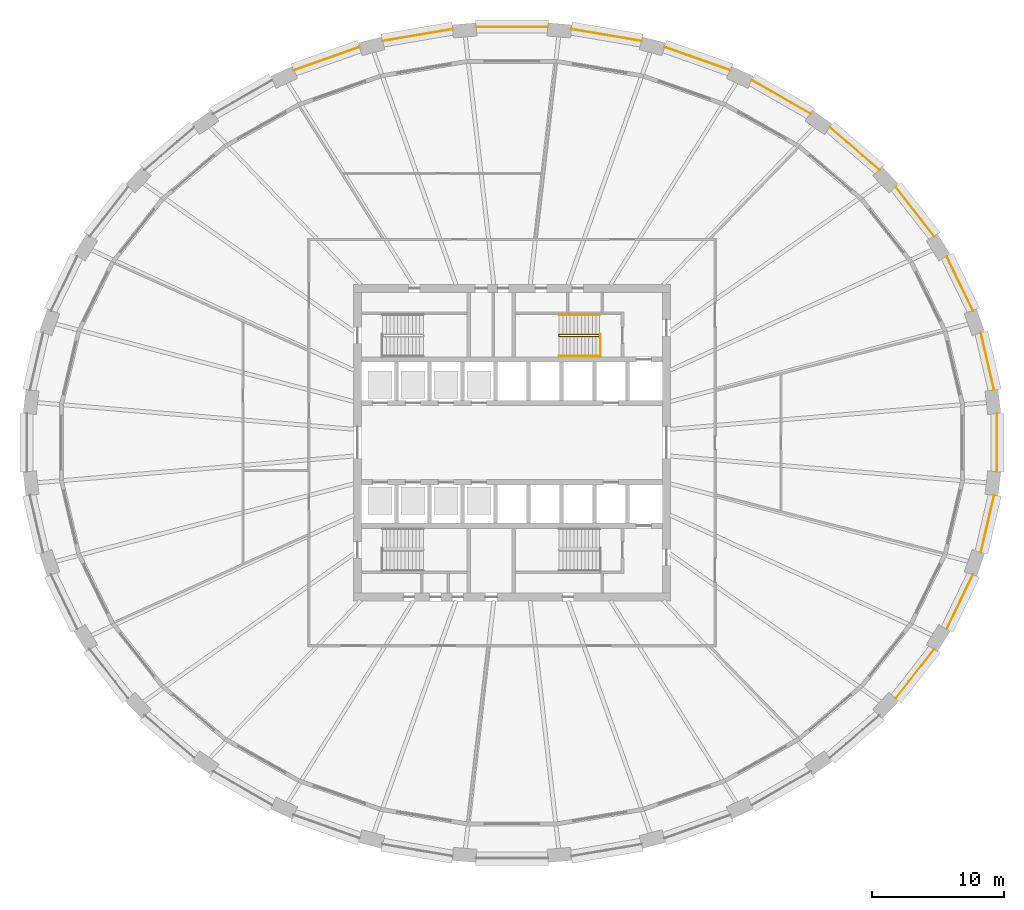
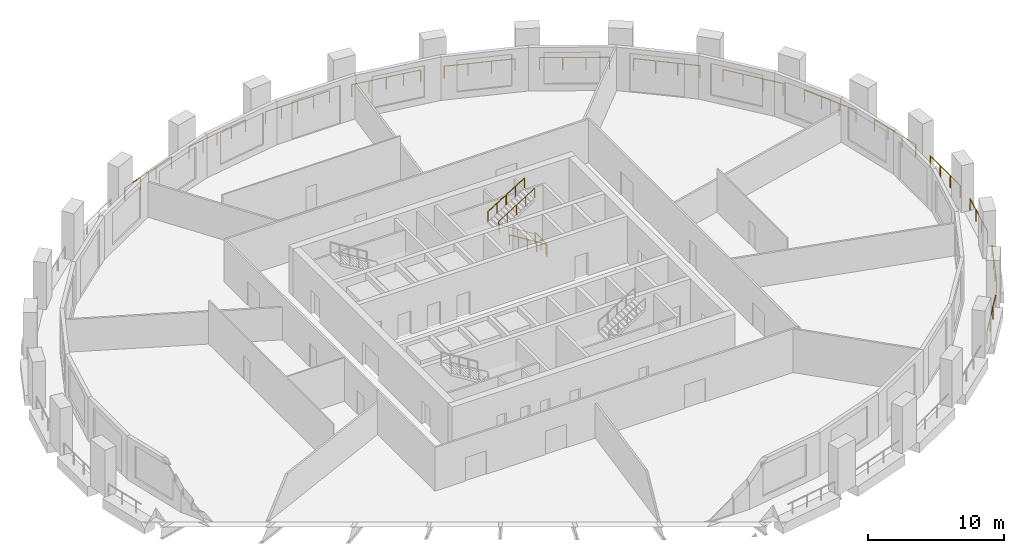
# One storey, part 9 of 10: 18 railings.
"""IFC4 building model written with IfcOpenShell, lengths in metres."""

from ifc_helpers import new_model, si_unit, direction, frame, origin, origin_2d, place, context, subcontext, project, spatial, circle, extrude, material, type_object, element, save


model = new_model("IFC4")

# Units and contexts
model_context = context("Model", 3, precision=1e-05, world=origin(), true_north=direction((0.0, 1.0)))
body_context = subcontext(model_context, "Body", "Model", "MODEL_VIEW")
ifc_project = project(units=[si_unit("LENGTHUNIT", "METRE"), si_unit("AREAUNIT", "SQUARE_METRE"), si_unit("VOLUMEUNIT", "CUBIC_METRE"), si_unit("PLANEANGLEUNIT", "RADIAN"), si_unit("MASSUNIT", "GRAM", prefix="KILO")], contexts=[model_context])

# Site, building, storey
site_placement = place(None, origin())
site = spatial("IfcSite", under=ifc_project, at=site_placement, CompositionType="ELEMENT")
building_placement = place(site_placement, origin())
building = spatial("IfcBuilding", under=site, at=building_placement, Name="Halqa Exchange Tower", CompositionType="ELEMENT")
storey_placement = place(building_placement, frame((0.0, 0.0, 69.699951171875)))
storey = spatial("IfcBuildingStorey", under=building, at=storey_placement, Name="L15", CompositionType="ELEMENT", Elevation=69.699951171875)

# Railings
ifc_material = material(Name="Stainless steel", Category="steel")
railing_type_1 = type_object("IfcRailingType", Name="Guard 1100 stainless steel", PredefinedType="GUARDRAIL", material=ifc_material)
railing_1_placement = place(storey_placement, frame((36.547607421875, 3.979248046875, 0.0)))
element("IfcRailing", 1, at=railing_1_placement, inside=storey, type_object=railing_type_1, Name="Loggia guard 1", PredefinedType="GUARDRAIL", context=body_context, shape_type="SweptSolid", body=[
    extrude(circle(Radius=0.02392578125, at=origin_2d()), frame((0.0, 0.0, 1.076171875), z_axis=(-0.226045997866, 0.974116628977, 0.0), x_axis=(-0.974116628977, -0.226045997866, 0.0)), (0.0, 0.0, 1.0), 4.44775390625),
    extrude(circle(Radius=0.02099609375, at=origin_2d()), origin(), (0.0, 0.0, 1.0), 1.052001953125),
    extrude(circle(Radius=0.02099609375, at=origin_2d()), frame((-0.335205078125, 1.444091796875, 0.0)), (0.0, 0.0, 1.0), 1.052001953125),
    extrude(circle(Radius=0.02099609375, at=origin_2d()), frame((-0.670166015625, 2.888427734375, 0.0)), (0.0, 0.0, 1.0), 1.052001953125),
    extrude(circle(Radius=0.02099609375, at=origin_2d()), frame((-1.00537109375, 4.33251953125, 0.0)), (0.0, 0.0, 1.0), 1.052001953125),
])
railing_2_placement = place(storey_placement, frame((34.947021484375, 9.998779296875, 0.0)))
element("IfcRailing", 2, at=railing_2_placement, inside=storey, type_object=railing_type_1, Name="Loggia guard 2", PredefinedType="GUARDRAIL", context=body_context, shape_type="SweptSolid", body=[
    extrude(circle(Radius=0.02392578125, at=origin_2d()), frame((0.0, 0.0, 1.076171875), z_axis=(-0.435070438407, 0.900396420264, 0.0), x_axis=(-0.900396420264, -0.435070438407, 0.0)), (0.0, 0.0, 1.0), 4.567138671875),
    extrude(circle(Radius=0.02099609375, at=origin_2d()), origin(), (0.0, 0.0, 1.0), 1.052001953125),
    extrude(circle(Radius=0.02099609375, at=origin_2d()), frame((-0.662353515625, 1.370849609375, 0.0)), (0.0, 0.0, 1.0), 1.052001953125),
    extrude(circle(Radius=0.02099609375, at=origin_2d()), frame((-1.32470703125, 2.741455078125, 0.0)), (0.0, 0.0, 1.0), 1.052001953125),
    extrude(circle(Radius=0.02099609375, at=origin_2d()), frame((-1.987060546875, 4.1123046875, 0.0)), (0.0, 0.0, 1.0), 1.052001953125),
])
railing_3_placement = place(storey_placement, frame((32.01513671875, 15.631103515625, 0.0)))
element("IfcRailing", 3, at=railing_3_placement, inside=storey, type_object=railing_type_1, Name="Loggia guard 3", PredefinedType="GUARDRAIL", context=body_context, shape_type="SweptSolid", body=[
    extrude(circle(Radius=0.02392578125, at=origin_2d()), frame((0.0, 0.0, 1.076171875), z_axis=(-0.614806413859, 0.788678054391, 0.0), x_axis=(-0.788678054391, -0.614806413859, 0.0)), (0.0, 0.0, 1.0), 4.74169921875),
    extrude(circle(Radius=0.02099609375, at=origin_2d()), origin(), (0.0, 0.0, 1.0), 1.052001953125),
    extrude(circle(Radius=0.02099609375, at=origin_2d()), frame((-0.9716796875, 1.24658203125, 0.0)), (0.0, 0.0, 1.0), 1.052001953125),
    extrude(circle(Radius=0.02099609375, at=origin_2d()), frame((-1.943603515625, 2.4931640625, 0.0)), (0.0, 0.0, 1.0), 1.052001953125),
    extrude(circle(Radius=0.02099609375, at=origin_2d()), frame((-2.915283203125, 3.73974609375, 0.0)), (0.0, 0.0, 1.0), 1.052001953125),
])
railing_4_placement = place(storey_placement, frame((27.863037109375, 20.66650390625, 0.0)))
element("IfcRailing", 4, at=railing_4_placement, inside=storey, type_object=railing_type_1, Name="Loggia guard 4", PredefinedType="GUARDRAIL", context=body_context, shape_type="SweptSolid", body=[
    extrude(circle(Radius=0.02392578125, at=origin_2d()), frame((0.0, 0.0, 1.076171875), z_axis=(-0.759267063974, 0.650779168048, 0.0), x_axis=(-0.650779168048, -0.759267063974, 0.0)), (0.0, 0.0, 1.0), 4.94189453125),
    extrude(circle(Radius=0.02099609375, at=origin_2d()), origin(), (0.0, 0.0, 1.0), 1.052001953125),
    extrude(circle(Radius=0.02099609375, at=origin_2d()), frame((-1.250732421875, 1.072021484375, 0.0)), (0.0, 0.0, 1.0), 1.052001953125),
    extrude(circle(Radius=0.02099609375, at=origin_2d()), frame((-2.50146484375, 2.14404296875, 0.0)), (0.0, 0.0, 1.0), 1.052001953125),
    extrude(circle(Radius=0.02099609375, at=origin_2d()), frame((-3.752197265625, 3.216064453125, 0.0)), (0.0, 0.0, 1.0), 1.052001953125),
])
railing_5_placement = place(storey_placement, frame((22.646484375, 24.91552734375, 0.0)))
element("IfcRailing", 5, at=railing_5_placement, inside=storey, type_object=railing_type_1, Name="Loggia guard 5", PredefinedType="GUARDRAIL", context=body_context, shape_type="SweptSolid", body=[
    extrude(circle(Radius=0.02392578125, at=origin_2d()), frame((0.0, 0.0, 1.076171875), z_axis=(-0.8677425464, 0.497013956713, 0.0), x_axis=(-0.497013956713, -0.8677425464, 0.0)), (0.0, 0.0, 1.0), 5.13671875),
    extrude(circle(Radius=0.02099609375, at=origin_2d()), origin(), (0.0, 0.0, 1.0), 1.052001953125),
    extrude(circle(Radius=0.02099609375, at=origin_2d()), frame((-1.48583984375, 0.85107421875, 0.0)), (0.0, 0.0, 1.0), 1.052001953125),
    extrude(circle(Radius=0.02099609375, at=origin_2d()), frame((-2.971435546875, 1.701904296875, 0.0)), (0.0, 0.0, 1.0), 1.052001953125),
    extrude(circle(Radius=0.02099609375, at=origin_2d()), frame((-4.457275390625, 2.552978515625, 0.0)), (0.0, 0.0, 1.0), 1.052001953125),
])
railing_6_placement = place(storey_placement, frame((16.56005859375, 28.216796875, 0.0)))
element("IfcRailing", 6, at=railing_6_placement, inside=storey, type_object=railing_type_1, Name="Loggia guard 6", PredefinedType="GUARDRAIL", context=body_context, shape_type="SweptSolid", body=[
    extrude(circle(Radius=0.02392578125, at=origin_2d()), frame((0.0, 0.0, 1.076171875), z_axis=(-0.942360724368, 0.334598662831, 0.0), x_axis=(-0.334598662831, -0.942360724368, 0.0)), (0.0, 0.0, 1.0), 5.29736328125),
    extrude(circle(Radius=0.02099609375, at=origin_2d()), origin(), (0.0, 0.0, 1.0), 1.052001953125),
    extrude(circle(Radius=0.02099609375, at=origin_2d()), frame((-1.6640625, 0.5908203125, 0.0)), (0.0, 0.0, 1.0), 1.052001953125),
    extrude(circle(Radius=0.02099609375, at=origin_2d()), frame((-3.327880859375, 1.181640625, 0.0)), (0.0, 0.0, 1.0), 1.052001953125),
    extrude(circle(Radius=0.02099609375, at=origin_2d()), frame((-4.991943359375, 1.7724609375, 0.0)), (0.0, 0.0, 1.0), 1.052001953125),
])
railing_7_placement = place(storey_placement, frame((9.832763671875, 30.441650390625, 0.0)))
element("IfcRailing", 7, at=railing_7_placement, inside=storey, type_object=railing_type_1, Name="Loggia guard 7", PredefinedType="GUARDRAIL", context=body_context, shape_type="SweptSolid", body=[
    extrude(circle(Radius=0.02392578125, at=origin_2d()), frame((0.0, 0.0, 1.076171875), z_axis=(-0.985777718066, 0.168054427389, 0.0), x_axis=(-0.168054427389, -0.985777718066, 0.0)), (0.0, 0.0, 1.0), 5.40283203125),
    extrude(circle(Radius=0.02099609375, at=origin_2d()), origin(), (0.0, 0.0, 1.0), 1.052001953125),
    extrude(circle(Radius=0.02099609375, at=origin_2d()), frame((-1.33154296875, 0.22705078125, 0.0)), (0.0, 0.0, 1.0), 1.052001953125),
    extrude(circle(Radius=0.02099609375, at=origin_2d()), frame((-2.6630859375, 0.4541015625, 0.0)), (0.0, 0.0, 1.0), 1.052001953125),
    extrude(circle(Radius=0.02099609375, at=origin_2d()), frame((-3.994384765625, 0.680908203125, 0.0)), (0.0, 0.0, 1.0), 1.052001953125),
    extrude(circle(Radius=0.02099609375, at=origin_2d()), frame((-5.325927734375, 0.907958984375, 0.0)), (0.0, 0.0, 1.0), 1.052001953125),
])
railing_8_placement = place(storey_placement, frame((2.7197265625, 31.5009765625, 0.0)))
element("IfcRailing", 8, at=railing_8_placement, inside=storey, type_object=railing_type_1, Name="Loggia guard 8", PredefinedType="GUARDRAIL", context=body_context, shape_type="SweptSolid", body=[
    extrude(circle(Radius=0.02392578125, at=origin_2d()), frame((0.0, 0.0, 1.076171875), z_axis=(-1.0, 0.0, 0.0), x_axis=(0.0, -1.0, 0.0)), (0.0, 0.0, 1.0), 5.439453125),
    extrude(circle(Radius=0.02099609375, at=origin_2d()), origin(), (0.0, 0.0, 1.0), 1.052001953125),
    extrude(circle(Radius=0.02099609375, at=origin_2d()), frame((-1.35986328125, 0.0, 0.0)), (0.0, 0.0, 1.0), 1.052001953125),
    extrude(circle(Radius=0.02099609375, at=origin_2d()), frame((-2.7197265625, 0.0, 0.0)), (0.0, 0.0, 1.0), 1.052001953125),
    extrude(circle(Radius=0.02099609375, at=origin_2d()), frame((-4.07958984375, 0.0, 0.0)), (0.0, 0.0, 1.0), 1.052001953125),
    extrude(circle(Radius=0.02099609375, at=origin_2d()), frame((-5.439453125, 0.0, 0.0)), (0.0, 0.0, 1.0), 1.052001953125),
])
railing_9_placement = place(storey_placement, frame((-4.5068359375, 31.349609375, 0.0)))
element("IfcRailing", 9, at=railing_9_placement, inside=storey, type_object=railing_type_1, Name="Loggia guard 9", PredefinedType="GUARDRAIL", context=body_context, shape_type="SweptSolid", body=[
    extrude(circle(Radius=0.02392578125, at=origin_2d()), frame((0.0, 0.0, 1.076171875), z_axis=(-0.985777718066, -0.168054427389, 0.0), x_axis=(0.168054427389, -0.985777718066, 0.0)), (0.0, 0.0, 1.0), 5.40283203125),
    extrude(circle(Radius=0.02099609375, at=origin_2d()), origin(), (0.0, 0.0, 1.0), 1.052001953125),
    extrude(circle(Radius=0.02099609375, at=origin_2d()), frame((-1.33154296875, -0.22705078125, 0.0)), (0.0, 0.0, 1.0), 1.052001953125),
    extrude(circle(Radius=0.02099609375, at=origin_2d()), frame((-2.6630859375, -0.4541015625, 0.0)), (0.0, 0.0, 1.0), 1.052001953125),
    extrude(circle(Radius=0.02099609375, at=origin_2d()), frame((-3.994384765625, -0.680908203125, 0.0)), (0.0, 0.0, 1.0), 1.052001953125),
    extrude(circle(Radius=0.02099609375, at=origin_2d()), frame((-5.325927734375, -0.907958984375, 0.0)), (0.0, 0.0, 1.0), 1.052001953125),
])
railing_10_placement = place(storey_placement, frame((-11.568115234375, 29.9892578125, 0.0)))
element("IfcRailing", 10, at=railing_10_placement, inside=storey, type_object=railing_type_1, Name="Loggia guard 10", PredefinedType="GUARDRAIL", context=body_context, shape_type="SweptSolid", body=[
    extrude(circle(Radius=0.02392578125, at=origin_2d()), frame((0.0, 0.0, 1.076171875), z_axis=(-0.942360724368, -0.334598662831, 0.0), x_axis=(0.334598662831, -0.942360724368, 0.0)), (0.0, 0.0, 1.0), 5.29736328125),
    extrude(circle(Radius=0.02099609375, at=origin_2d()), origin(), (0.0, 0.0, 1.0), 1.052001953125),
    extrude(circle(Radius=0.02099609375, at=origin_2d()), frame((-1.6640625, -0.5908203125, 0.0)), (0.0, 0.0, 1.0), 1.052001953125),
    extrude(circle(Radius=0.02099609375, at=origin_2d()), frame((-3.327880859375, -1.181640625, 0.0)), (0.0, 0.0, 1.0), 1.052001953125),
    extrude(circle(Radius=0.02099609375, at=origin_2d()), frame((-4.991943359375, -1.7724609375, 0.0)), (0.0, 0.0, 1.0), 1.052001953125),
])
railing_11_placement = place(storey_placement, frame((29.099853515625, -19.370849609375, 0.0)))
element("IfcRailing", 11, at=railing_11_placement, inside=storey, type_object=railing_type_1, Name="Loggia guard 29", PredefinedType="GUARDRAIL", context=body_context, shape_type="SweptSolid", body=[
    extrude(circle(Radius=0.02392578125, at=origin_2d()), frame((0.0, 0.0, 1.076171875), z_axis=(0.614806413859, 0.788678054391, 0.0), x_axis=(-0.788678054391, 0.614806413859, 0.0)), (0.0, 0.0, 1.0), 4.74169921875),
    extrude(circle(Radius=0.02099609375, at=origin_2d()), origin(), (0.0, 0.0, 1.0), 1.052001953125),
    extrude(circle(Radius=0.02099609375, at=origin_2d()), frame((0.9716796875, 1.24658203125, 0.0)), (0.0, 0.0, 1.0), 1.052001953125),
    extrude(circle(Radius=0.02099609375, at=origin_2d()), frame((1.943603515625, 2.4931640625, 0.0)), (0.0, 0.0, 1.0), 1.052001953125),
    extrude(circle(Radius=0.02099609375, at=origin_2d()), frame((2.915283203125, 3.73974609375, 0.0)), (0.0, 0.0, 1.0), 1.052001953125),
])
railing_12_placement = place(storey_placement, frame((32.9599609375, -14.111083984375, 0.0)))
element("IfcRailing", 12, at=railing_12_placement, inside=storey, type_object=railing_type_1, Name="Loggia guard 30", PredefinedType="GUARDRAIL", context=body_context, shape_type="SweptSolid", body=[
    extrude(circle(Radius=0.02392578125, at=origin_2d()), frame((0.0, 0.0, 1.076171875), z_axis=(0.435070438407, 0.900396420264, 0.0), x_axis=(-0.900396420264, 0.435070438407, 0.0)), (0.0, 0.0, 1.0), 4.567138671875),
    extrude(circle(Radius=0.02099609375, at=origin_2d()), origin(), (0.0, 0.0, 1.0), 1.052001953125),
    extrude(circle(Radius=0.02099609375, at=origin_2d()), frame((0.662353515625, 1.370849609375, 0.0)), (0.0, 0.0, 1.0), 1.052001953125),
    extrude(circle(Radius=0.02099609375, at=origin_2d()), frame((1.32470703125, 2.741455078125, 0.0)), (0.0, 0.0, 1.0), 1.052001953125),
    extrude(circle(Radius=0.02099609375, at=origin_2d()), frame((1.987060546875, 4.1123046875, 0.0)), (0.0, 0.0, 1.0), 1.052001953125),
])
railing_13_placement = place(storey_placement, frame((35.542236328125, -8.311767578125, 0.0)))
element("IfcRailing", 13, at=railing_13_placement, inside=storey, type_object=railing_type_1, Name="Loggia guard 31", PredefinedType="GUARDRAIL", context=body_context, shape_type="SweptSolid", body=[
    extrude(circle(Radius=0.02392578125, at=origin_2d()), frame((0.0, 0.0, 1.076171875), z_axis=(0.226045997866, 0.974116628977, 0.0), x_axis=(-0.974116628977, 0.226045997866, 0.0)), (0.0, 0.0, 1.0), 4.44775390625),
    extrude(circle(Radius=0.02099609375, at=origin_2d()), origin(), (0.0, 0.0, 1.0), 1.052001953125),
    extrude(circle(Radius=0.02099609375, at=origin_2d()), frame((0.335205078125, 1.444091796875, 0.0)), (0.0, 0.0, 1.0), 1.052001953125),
    extrude(circle(Radius=0.02099609375, at=origin_2d()), frame((0.670166015625, 2.888427734375, 0.0)), (0.0, 0.0, 1.0), 1.052001953125),
    extrude(circle(Radius=0.02099609375, at=origin_2d()), frame((1.00537109375, 4.33251953125, 0.0)), (0.0, 0.0, 1.0), 1.052001953125),
])
railing_14_placement = place(storey_placement, frame((36.751220703125, -2.202392578125, 0.0)))
element("IfcRailing", 14, at=railing_14_placement, inside=storey, type_object=railing_type_1, Name="Loggia guard 32", PredefinedType="GUARDRAIL", context=body_context, shape_type="SweptSolid", body=[
    extrude(circle(Radius=0.02392578125, at=origin_2d()), frame((0.0, 0.0, 1.076171875), z_axis=(0.0, 1.0, 0.0), x_axis=(-1.0, 0.0, 0.0)), (0.0, 0.0, 1.0), 4.40478515625),
    extrude(circle(Radius=0.02099609375, at=origin_2d()), origin(), (0.0, 0.0, 1.0), 1.052001953125),
    extrude(circle(Radius=0.02099609375, at=origin_2d()), frame((0.0, 1.46826171875, 0.0)), (0.0, 0.0, 1.0), 1.052001953125),
    extrude(circle(Radius=0.02099609375, at=origin_2d()), frame((0.0, 2.9365234375, 0.0)), (0.0, 0.0, 1.0), 1.052001953125),
    extrude(circle(Radius=0.02099609375, at=origin_2d()), frame((0.0, 4.40478515625, 0.0)), (0.0, 0.0, 1.0), 1.052001953125),
])
railing_type_2 = type_object("IfcRailingType", Name="Stair handrail 900", PredefinedType="HANDRAIL", material=ifc_material)
railing_15_placement = place(storey_placement, frame((6.64990234375, 8.06005859375, 0.175048828125)))
element("IfcRailing", 15, at=railing_15_placement, inside=storey, type_object=railing_type_2, Name="Handrail ST2.1", PredefinedType="HANDRAIL", context=body_context, shape_type="SweptSolid", body=[
    extrude(circle(Radius=0.02392578125, at=origin_2d()), frame((0.0, 0.0, 0.8759765625), z_axis=(-0.847979421464, 0.0, 0.530029150871), x_axis=(0.0, -1.0, 0.0)), (0.0, 0.0, 1.0), 3.632080078125),
    extrude(circle(Radius=0.02392578125, at=origin_2d()), frame((-3.079833984375, 0.0, 2.80078125), z_axis=(0.0, 0.595870227118, 0.803080738428), x_axis=(-1.0, 0.0, 0.0)), (0.0, 0.0, 1.0), 0.218017578125),
    extrude(circle(Radius=0.02392578125, at=origin_2d()), frame((-3.079833984375, 0.1298828125, 2.97607421875), z_axis=(0.848009633417, 0.0, 0.529980812513), x_axis=(0.0, 1.0, 0.0)), (0.0, 0.0, 1.0), 3.6318359375),
    extrude(circle(Radius=0.02099609375, at=origin_2d()), origin(), (0.0, 0.0, 1.0), 0.851806640625),
    extrude(circle(Radius=0.02099609375, at=origin_2d()), frame((-0.77001953125, 0.0, 0.481201171875)), (0.0, 0.0, 1.0), 0.851806640625),
    extrude(circle(Radius=0.02099609375, at=origin_2d()), frame((-1.5400390625, 0.0, 0.96240234375)), (0.0, 0.0, 1.0), 0.851806640625),
    extrude(circle(Radius=0.02099609375, at=origin_2d()), frame((-2.309814453125, 0.0, 1.44384765625)), (0.0, 0.0, 1.0), 0.851806640625),
    extrude(circle(Radius=0.02099609375, at=origin_2d()), frame((-3.079833984375, 0.0, 1.925048828125)), (0.0, 0.0, 1.0), 0.851806640625),
    extrude(circle(Radius=0.02099609375, at=origin_2d()), frame((-3.079833984375, 0.1298828125, 2.10009765625)), (0.0, 0.0, 1.0), 0.851806640625),
    extrude(circle(Radius=0.02099609375, at=origin_2d()), frame((-2.309814453125, 0.1298828125, 2.581298828125)), (0.0, 0.0, 1.0), 0.851806640625),
    extrude(circle(Radius=0.02099609375, at=origin_2d()), frame((-1.5400390625, 0.1298828125, 3.0625)), (0.0, 0.0, 1.0), 0.851806640625),
    extrude(circle(Radius=0.02099609375, at=origin_2d()), frame((-0.77001953125, 0.1298828125, 3.543701171875)), (0.0, 0.0, 1.0), 0.851806640625),
    extrude(circle(Radius=0.02099609375, at=origin_2d()), frame((0.0, 0.1298828125, 4.02490234375)), (0.0, 0.0, 1.0), 0.851806640625),
])
railing_16_placement = place(storey_placement, frame((6.64990234375, 6.550048828125, 0.175048828125)))
element("IfcRailing", 16, at=railing_16_placement, inside=storey, type_object=railing_type_2, Name="Handrail ST2.2", PredefinedType="HANDRAIL", context=body_context, shape_type="SweptSolid", body=[
    extrude(circle(Radius=0.02392578125, at=origin_2d()), frame((0.0, 0.0, 0.8759765625), z_axis=(-0.847979421464, 0.0, 0.530029150871), x_axis=(0.0, -1.0, 0.0)), (0.0, 0.0, 1.0), 3.632080078125),
    extrude(circle(Radius=0.02099609375, at=origin_2d()), origin(), (0.0, 0.0, 1.0), 0.851806640625),
    extrude(circle(Radius=0.02099609375, at=origin_2d()), frame((-0.77001953125, 0.0, 0.481201171875)), (0.0, 0.0, 1.0), 0.851806640625),
    extrude(circle(Radius=0.02099609375, at=origin_2d()), frame((-1.5400390625, 0.0, 0.96240234375)), (0.0, 0.0, 1.0), 0.851806640625),
    extrude(circle(Radius=0.02099609375, at=origin_2d()), frame((-2.309814453125, 0.0, 1.44384765625)), (0.0, 0.0, 1.0), 0.851806640625),
    extrude(circle(Radius=0.02099609375, at=origin_2d()), frame((-3.079833984375, 0.0, 1.925048828125)), (0.0, 0.0, 1.0), 0.851806640625),
])
railing_17_placement = place(storey_placement, frame((3.570068359375, 9.699951171875, 2.275146484375)))
element("IfcRailing", 17, at=railing_17_placement, inside=storey, type_object=railing_type_2, Name="Handrail ST2.3", PredefinedType="HANDRAIL", context=body_context, shape_type="SweptSolid", body=[
    extrude(circle(Radius=0.02392578125, at=origin_2d()), frame((0.0, 0.0, 0.8759765625), z_axis=(0.848009633417, 0.0, 0.529980812513), x_axis=(0.0, 1.0, 0.0)), (0.0, 0.0, 1.0), 3.6318359375),
    extrude(circle(Radius=0.02099609375, at=origin_2d()), origin(), (0.0, 0.0, 1.0), 0.851806640625),
    extrude(circle(Radius=0.02099609375, at=origin_2d()), frame((0.77001953125, 0.0, 0.481201171875)), (0.0, 0.0, 1.0), 0.851806640625),
    extrude(circle(Radius=0.02099609375, at=origin_2d()), frame((1.5400390625, 0.0, 0.96240234375)), (0.0, 0.0, 1.0), 0.851806640625),
    extrude(circle(Radius=0.02099609375, at=origin_2d()), frame((2.309814453125, 0.0, 1.443603515625)), (0.0, 0.0, 1.0), 0.851806640625),
    extrude(circle(Radius=0.02099609375, at=origin_2d()), frame((3.079833984375, 0.0, 1.9248046875)), (0.0, 0.0, 1.0), 0.851806640625),
])
railing_type_3 = type_object("IfcRailingType", Name="Stair well guard 1100", PredefinedType="GUARDRAIL", material=ifc_material)
railing_18_placement = place(storey_placement, frame((6.699951171875, 6.5, 0.0)))
element("IfcRailing", 18, at=railing_18_placement, inside=storey, type_object=railing_type_3, Name="Guard ST2 well", PredefinedType="GUARDRAIL", context=body_context, shape_type="SweptSolid", body=[
    extrude(circle(Radius=0.02392578125, at=origin_2d()), frame((0.0, 0.0, 1.076171875), z_axis=(0.0, 1.0, 0.0), x_axis=(-1.0, 0.0, 0.0)), (0.0, 0.0, 1.0), 1.75),
    extrude(circle(Radius=0.02099609375, at=origin_2d()), origin(), (0.0, 0.0, 1.0), 1.052001953125),
    extrude(circle(Radius=0.02099609375, at=origin_2d()), frame((0.0, 0.875, 0.0)), (0.0, 0.0, 1.0), 1.052001953125),
    extrude(circle(Radius=0.02099609375, at=origin_2d()), frame((0.0, 1.75, 0.0)), (0.0, 0.0, 1.0), 1.052001953125),
])

save(model, "model.ifc")
